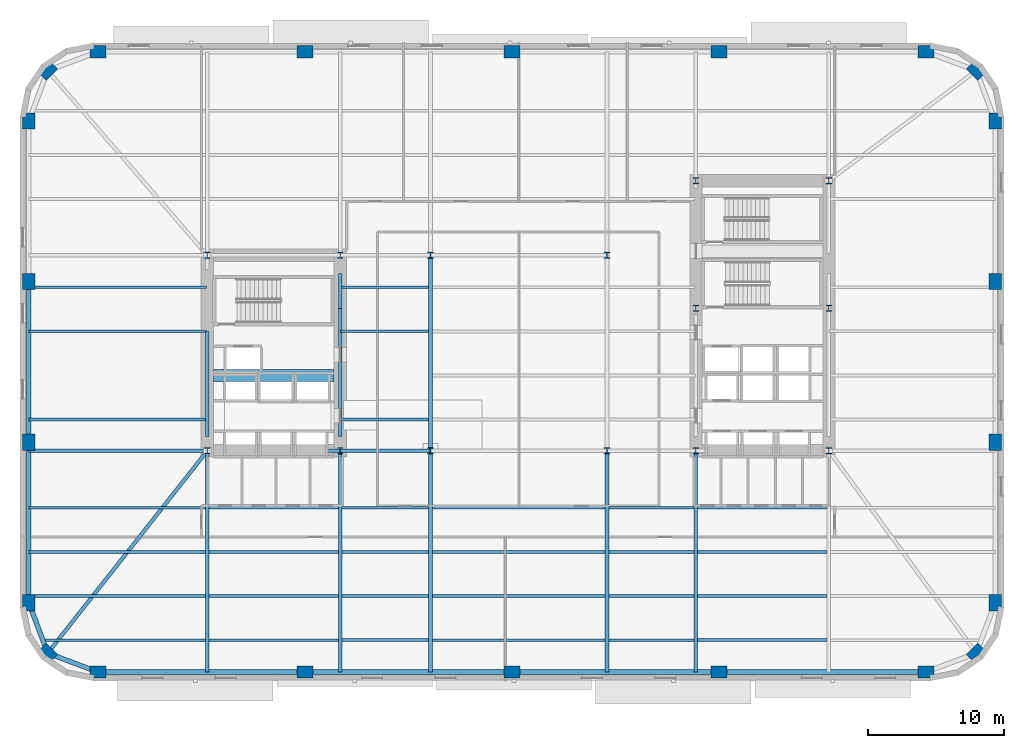
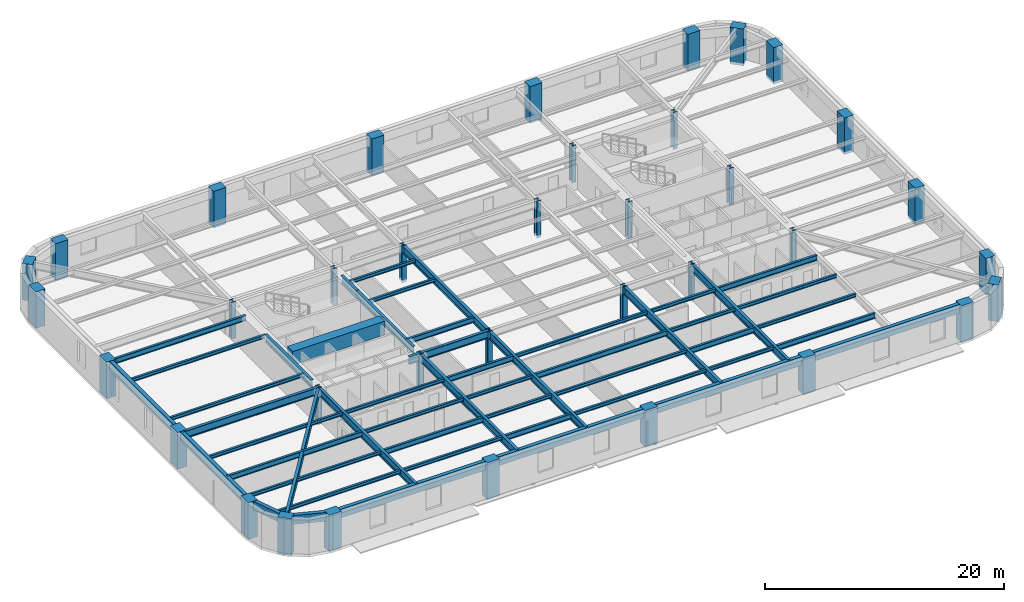
# One storey, part 1 of 15: 51 beams, 36 columns.
"""IFC4 building model written with IfcOpenShell, lengths in metres."""

import ifcopenshell
import ifcopenshell.guid

model = None  # the IFC model being written
_history = None  # IfcOwnerHistory: only IFC2X3 demands one
_inside = {}  # id of a spatial element -> (the spatial element, [elements in it])
_under = {}  # id of a project, library or spatial element -> (it, [spatial elements below it])
_declared = {}  # id of a project -> (the project, [libraries it declares])
_typed = {}  # id of a type object -> (the type object, [elements of that type])
_made_of = {}  # id of a material, layer set ... -> (it, [elements and type objects made of it])


def new_model(schema):
    """Start an empty IFC model of exactly this schema.

    Asked for "IFC4X3", IfcOpenShell would pick the latest addendum, in which some entities
    have other attributes; the version numbers below select the first issue.
    IFC2X3 requires an IfcOwnerHistory on every rooted entity: one is made here for all.
    """
    global model, _history
    if schema == "IFC4X3":
        model = ifcopenshell.file(schema_version=(4, 3, 0, 0))
    else:
        model = ifcopenshell.file(schema=schema)
    _inside.clear()
    _under.clear()
    _declared.clear()
    _typed.clear()
    _made_of.clear()
    _history = None
    if model.schema == "IFC2X3":
        org = make("IfcOrganization", Name="unknown")
        user = make(
            "IfcPersonAndOrganization",
            ThePerson=make("IfcPerson", FamilyName="unknown"),
            TheOrganization=org,
        )
        app = make(
            "IfcApplication",
            ApplicationDeveloper=org,
            Version="unknown",
            ApplicationFullName="unknown",
            ApplicationIdentifier="unknown",
        )
        _history = make(
            "IfcOwnerHistory",
            OwningUser=user,
            OwningApplication=app,
            ChangeAction="ADDED",
            CreationDate=0,
        )
    return model


def make(cls, **values):
    """One entity of the class cls with the attributes given. An attribute that is None is left unset."""
    return model.create_entity(
        cls, **{name: value for name, value in values.items() if value is not None}
    )


def rooted(cls, **values):
    """An entity with a GlobalId (a new one), such as an element, a storey or a relation."""
    return make(cls, GlobalId=ifcopenshell.guid.new(), OwnerHistory=_history, **values)


def si_unit(unit_type, name, prefix=None):
    """IfcSIUnit, for example si_unit("LENGTHUNIT", "METRE", prefix="MILLI")."""
    return make("IfcSIUnit", UnitType=unit_type, Prefix=prefix, Name=name)


def assignment(units):
    """IfcUnitAssignment: the units of a project."""
    return None if units is None else make("IfcUnitAssignment", Units=units)


def point(xyz):
    """IfcCartesianPoint."""
    return None if xyz is None else make("IfcCartesianPoint", Coordinates=xyz)


def direction(xyz):
    """IfcDirection."""
    return None if xyz is None else make("IfcDirection", DirectionRatios=xyz)


def frame(location, z_axis=None, x_axis=None):
    """IfcAxis2Placement3D, a coordinate frame: its origin and axes. An axis left out is left unset."""
    return make(
        "IfcAxis2Placement3D",
        Location=point(location),
        Axis=direction(z_axis),
        RefDirection=direction(x_axis),
    )


def frame_2d(location, x_axis=None):
    """IfcAxis2Placement2D, a coordinate frame in the plane: its origin and x axis."""
    return make(
        "IfcAxis2Placement2D", Location=point(location), RefDirection=direction(x_axis)
    )


def origin():
    """The frame at (0, 0, 0) with its axes left unset."""
    return frame((0.0, 0.0, 0.0))


def origin_2d():
    """The frame at (0, 0) in the plane with its x axis left unset."""
    return frame_2d((0.0, 0.0))


def place(relative_to, where):
    """IfcLocalPlacement: puts the frame where relative to a parent placement (None: the world)."""
    return make(
        "IfcLocalPlacement", PlacementRelTo=relative_to, RelativePlacement=where
    )


def context(
    kind, dimensions, precision=None, world=None, true_north=None, identifier=None
):
    """IfcGeometricRepresentationContext, for example the 3D "Model" context."""
    return make(
        "IfcGeometricRepresentationContext",
        ContextIdentifier=identifier,
        ContextType=kind,
        CoordinateSpaceDimension=dimensions,
        Precision=precision,
        WorldCoordinateSystem=world,
        TrueNorth=true_north,
    )


def subcontext(parent, identifier, kind, view, scale=None):
    """IfcGeometricRepresentationSubContext, for example "Body" below "Model"."""
    return make(
        "IfcGeometricRepresentationSubContext",
        ContextIdentifier=identifier,
        ContextType=kind,
        ParentContext=parent,
        TargetScale=scale,
        TargetView=view,
    )


def project(units=None, contexts=None):
    """IfcProject with its units and contexts."""
    return rooted(
        "IfcProject",
        Name="project",
        RepresentationContexts=contexts,
        UnitsInContext=assignment(units),
    )


def spatial(cls, under=None, at=None, **own):
    """A site, building, storey or space (cls), placed at a placement, below another one or the project."""
    s = rooted(cls, ObjectPlacement=at, **own)
    if under is not None:
        _under.setdefault(under.id(), (under, []))[1].append(s)
    return s


def profile(cls, at=None, kind="AREA", **sizes):
    """A parametric profile (cls). Its sizes go by their IFC names, for example OverallWidth=200.0."""
    return make(cls, ProfileType=kind, Position=at, **sizes)


def rectangle(**sizes):
    """IfcRectangleProfileDef."""
    return profile("IfcRectangleProfileDef", **sizes)


def hollow_rectangle(**sizes):
    """IfcRectangleHollowProfileDef."""
    return profile("IfcRectangleHollowProfileDef", **sizes)


def i_section(**sizes):
    """IfcIShapeProfileDef."""
    return profile("IfcIShapeProfileDef", **sizes)


def extrude(swept, where, along, depth):
    """IfcExtrudedAreaSolid: the profile swept, set in the frame where, extruded along a direction by depth."""
    return make(
        "IfcExtrudedAreaSolid",
        SweptArea=swept,
        Position=where,
        ExtrudedDirection=direction(along),
        Depth=depth,
    )


def shape(context_of_items, identifier, shape_type, items):
    """IfcShapeRepresentation: the items that make up one representation, for example the "Body"."""
    return make(
        "IfcShapeRepresentation",
        ContextOfItems=context_of_items,
        RepresentationIdentifier=identifier,
        RepresentationType=shape_type,
        Items=items,
    )


def material(Name=None, Category=None):
    """IfcMaterial."""
    return make("IfcMaterial", Name=Name, Category=Category)


def material_profile(
    of_material, cross_section, Name=None, Category=None, Priority=None
):
    """IfcMaterialProfile: a cross section and its material."""
    return make(
        "IfcMaterialProfile",
        Name=Name,
        Material=of_material,
        Profile=cross_section,
        Priority=Priority,
        Category=Category,
    )


def profile_set(profiles, Name=None, composite=None):
    """IfcMaterialProfileSet."""
    return make(
        "IfcMaterialProfileSet",
        Name=Name,
        MaterialProfiles=profiles,
        CompositeProfile=composite,
    )


def made_of(thing, what):
    """Note that an element or type object is made of a material, layer set ...; save() writes the relation."""
    if what is not None:
        _made_of.setdefault(what.id(), (what, []))[1].append(thing)
    return thing


def type_object(cls, material=None, **own):
    """A type object (cls), such as IfcWallType, which elements share."""
    return made_of(rooted(cls, **own), material)


def element(
    cls,
    number,
    at=None,
    inside=None,
    cuts=None,
    type_object=None,
    material=None,
    context=None,
    identifier="Body",
    shape_type=None,
    held_by="IfcProductDefinitionShape",
    body=None,
    shapes=None,
    **own,
):
    """One element of the class cls, such as IfcWall. Its Tag is "e" and its number.

    at: its placement. inside: the storey or other place that contains it. cuts: it is an
    opening in that element (IfcRelVoidsElement). A single representation is given by context,
    identifier, shape_type and body (its items); several are given by shapes. held_by: the class
    of the entity that holds the representations. save() writes the other relations.
    """
    e = rooted(cls, Tag="e%d" % number, ObjectPlacement=at, **own)
    if body is not None:
        shapes = [shape(context, identifier, shape_type, body)]
    if shapes is not None:
        e.Representation = make(held_by, Representations=shapes)
    if inside is not None:
        _inside.setdefault(inside.id(), (inside, []))[1].append(e)
    if cuts is not None:
        rooted(
            "IfcRelVoidsElement", RelatingBuildingElement=cuts, RelatedOpeningElement=e
        )
    if type_object is not None:
        _typed.setdefault(type_object.id(), (type_object, []))[1].append(e)
    return made_of(e, material)


def aggregate(whole, parts):
    """IfcRelAggregates: a whole, such as a stair, and the parts it consists of."""
    return rooted("IfcRelAggregates", RelatingObject=whole, RelatedObjects=parts)


def save(model, path):
    """Write the relations noted so far, then the file.

    IfcRelAggregates (storeys below a building ...), IfcRelContainedInSpatialStructure (elements
    in a storey), IfcRelDefinesByType, IfcRelAssociatesMaterial and IfcRelDeclares: one each for
    every whole, place, type object, material and project.
    """
    for whole, parts in _under.values():
        aggregate(whole, parts)
    for where, things in _inside.values():
        rooted(
            "IfcRelContainedInSpatialStructure",
            RelatedElements=things,
            RelatingStructure=where,
        )
    for kind, things in _typed.values():
        rooted("IfcRelDefinesByType", RelatedObjects=things, RelatingType=kind)
    for what, things in _made_of.values():
        rooted("IfcRelAssociatesMaterial", RelatedObjects=things, RelatingMaterial=what)
    for by, libraries in _declared.values():
        rooted("IfcRelDeclares", RelatingContext=by, RelatedDefinitions=libraries)
    model.write(path)


model = new_model("IFC4")

# Units and contexts
model_context = context("Model", 3, precision=1e-05, world=origin(), true_north=direction((0.0, 1.0)))
body_context = subcontext(model_context, "Body", "Model", "MODEL_VIEW")
ifc_project = project(units=[si_unit("LENGTHUNIT", "METRE"), si_unit("AREAUNIT", "SQUARE_METRE"), si_unit("VOLUMEUNIT", "CUBIC_METRE"), si_unit("PLANEANGLEUNIT", "RADIAN"), si_unit("MASSUNIT", "GRAM", prefix="KILO")], contexts=[model_context])

# Site, building, storey
site_placement = place(None, origin())
site = spatial("IfcSite", under=ifc_project, at=site_placement, CompositionType="ELEMENT")
building_placement = place(site_placement, origin())
building = spatial("IfcBuilding", under=site, at=building_placement, Name="Kolvaren Arena Tower", CompositionType="ELEMENT")
storey_placement = place(building_placement, frame((0.0, 0.0, 45.75)))
storey = spatial("IfcBuildingStorey", under=building, at=storey_placement, Name="L08", CompositionType="ELEMENT", Elevation=45.75)

# Columns
ifc_material_1 = material(Name="Precast concrete C70/85", Category="concrete")
ifc_material_profile_1 = material_profile(ifc_material_1, rectangle(XDim=1.199951171875, YDim=0.89990234375, at=origin_2d()), Name="RC-1200x900")
ifc_profile_set_1 = profile_set([ifc_material_profile_1], Name="Precast concrete C70/85")
column_type_1 = type_object("IfcColumnType", Name="EXCOL-Z1", PredefinedType="COLUMN", material=ifc_profile_set_1)
for number, where, z_axis, x_axis, name in (
    (1, (6.5, 3.14990234375, -0.27001953125), (0.0, 0.0, 1.0), (1.0, 0.0, 0.0), "Exoskeleton Perimeter Column 01 (L08)"),
    (2, (21.75, 3.14990234375, -0.27001953125), (0.0, 0.0, 1.0), (1.0, 0.0, 0.0), "Exoskeleton Perimeter Column 02 (L08)"),
    (3, (37.0, 3.14990234375, -0.27001953125), (0.0, 0.0, 1.0), (1.0, 0.0, 0.0), "Exoskeleton Perimeter Column 03 (L08)"),
    (4, (52.25, 3.14990234375, -0.27001953125), (0.0, 0.0, 1.0), (1.0, 0.0, 0.0), "Exoskeleton Perimeter Column 04 (L08)"),
    (5, (67.5, 3.14990234375, -0.27001953125), (0.0, 0.0, 1.0), (1.0, 0.0, 0.0), "Exoskeleton Perimeter Column 05 (L08)"),
    (6, (71.208740234375, 4.541259765625, -0.27001953125), (0.0, 0.0, 1.0), (0.707106781187, 0.707106781187, 0.0), "Exoskeleton Perimeter Column 06 (L08)"),
    (7, (72.60009765625, 8.25, -0.27001953125), (0.0, 0.0, 1.0), (0.0, 1.0, 0.0), "Exoskeleton Perimeter Column 07 (L08)"),
    (8, (72.60009765625, 20.083251953125, -0.27001953125), (0.0, 0.0, 1.0), (0.0, 1.0, 0.0), "Exoskeleton Perimeter Column 08 (L08)"),
    (9, (72.60009765625, 31.916748046875, -0.27001953125), (0.0, 0.0, 1.0), (0.0, 1.0, 0.0), "Exoskeleton Perimeter Column 09 (L08)"),
    (10, (72.60009765625, 43.75, -0.27001953125), (0.0, 0.0, 1.0), (0.0, 1.0, 0.0), "Exoskeleton Perimeter Column 10 (L08)"),
    (11, (71.208740234375, 47.458740234375, -0.27001953125), (0.0, 0.0, 1.0), (-0.707106781187, 0.707106781187, 0.0), "Exoskeleton Perimeter Column 11 (L08)"),
    (12, (67.5, 48.85009765625, -0.27001953125), (0.0, 0.0, 1.0), (1.0, 0.0, 0.0), "Exoskeleton Perimeter Column 12 (L08)"),
    (13, (52.25, 48.85009765625, -0.27001953125), (0.0, 0.0, 1.0), (1.0, 0.0, 0.0), "Exoskeleton Perimeter Column 13 (L08)"),
    (14, (37.0, 48.85009765625, -0.27001953125), (0.0, 0.0, 1.0), (1.0, 0.0, 0.0), "Exoskeleton Perimeter Column 14 (L08)"),
    (15, (21.75, 48.85009765625, -0.27001953125), (0.0, 0.0, 1.0), (1.0, 0.0, 0.0), "Exoskeleton Perimeter Column 15 (L08)"),
    (16, (6.5, 48.85009765625, -0.27001953125), (0.0, 0.0, 1.0), (1.0, 0.0, 0.0), "Exoskeleton Perimeter Column 16 (L08)"),
    (17, (2.791259765625, 47.458740234375, -0.27001953125), (0.0, 0.0, 1.0), (0.707106781187, 0.707106781187, 0.0), "Exoskeleton Perimeter Column 17 (L08)"),
    (18, (1.39990234375, 43.75, -0.27001953125), (0.0, 0.0, 1.0), (0.0, 1.0, 0.0), "Exoskeleton Perimeter Column 18 (L08)"),
    (19, (1.39990234375, 31.916748046875, -0.27001953125), (0.0, 0.0, 1.0), (0.0, 1.0, 0.0), "Exoskeleton Perimeter Column 19 (L08)"),
    (20, (1.39990234375, 20.083251953125, -0.27001953125), (0.0, 0.0, 1.0), (0.0, 1.0, 0.0), "Exoskeleton Perimeter Column 20 (L08)"),
    (21, (1.39990234375, 8.25, -0.27001953125), (0.0, 0.0, 1.0), (0.0, 1.0, 0.0), "Exoskeleton Perimeter Column 21 (L08)"),
    (22, (2.791259765625, 4.541259765625, -0.27001953125), (0.0, 0.0, 1.0), (-0.707106781187, 0.707106781187, 0.0), "Exoskeleton Perimeter Column 22 (L08)"),
):
    element("IfcColumn", number, at=place(storey_placement, frame(where, z_axis=z_axis, x_axis=x_axis)), inside=storey, type_object=column_type_1, Name=name, PredefinedType="COLUMN", context=body_context, shape_type="SweptSolid", body=[
        extrude(rectangle(XDim=1.199951171875, YDim=0.89990234375, at=origin_2d()), origin(), (0.0, 0.0, 1.0), 3.75),
    ])
ifc_material_2 = material(Name="Steel ASTM A913 Grade 65", Category="steel")
ifc_material_profile_2 = material_profile(ifc_material_2, i_section(OverallWidth=0.424072265625, OverallDepth=0.47412109375, WebThickness=0.047607421875, FlangeThickness=0.076904296875, FilletRadius=0.02001953125, at=origin_2d()), Name="W360x634")
ifc_profile_set_2 = profile_set([ifc_material_profile_2], Name="Steel ASTM A913 Grade 65")
column_type_2 = type_object("IfcColumnType", Name="SCOL-Z1", PredefinedType="COLUMN", material=ifc_profile_set_2)
for number, where, z_axis, x_axis, name in (
    (23, (14.550048828125, 19.449951171875, -0.27001953125), (0.0, 0.0, 1.0), (1.0, 0.0, 0.0), "Core Boundary Column WC-SW (L08)"),
    (24, (24.35009765625, 19.449951171875, -0.27001953125), (0.0, 0.0, 1.0), (1.0, 0.0, 0.0), "Core Boundary Column WC-SE (L08)"),
    (25, (14.550048828125, 33.85009765625, -0.27001953125), (0.0, 0.0, 1.0), (1.0, 0.0, 0.0), "Core Boundary Column WC-NW (L08)"),
    (26, (24.35009765625, 33.85009765625, -0.27001953125), (0.0, 0.0, 1.0), (1.0, 0.0, 0.0), "Core Boundary Column WC-NE (L08)"),
    (27, (50.550048828125, 19.449951171875, -0.27001953125), (0.0, 0.0, 1.0), (1.0, 0.0, 0.0), "Core Boundary Column EC-SW (L08)"),
    (28, (60.35009765625, 19.449951171875, -0.27001953125), (0.0, 0.0, 1.0), (1.0, 0.0, 0.0), "Core Boundary Column EC-SE (L08)"),
    (29, (50.550048828125, 29.949951171875, -0.27001953125), (0.0, 0.0, 1.0), (1.0, 0.0, 0.0), "Core Boundary Column EC-MW (L08)"),
    (30, (60.35009765625, 29.949951171875, -0.27001953125), (0.0, 0.0, 1.0), (1.0, 0.0, 0.0), "Core Boundary Column EC-ME (L08)"),
    (31, (50.550048828125, 39.35009765625, -0.27001953125), (0.0, 0.0, 1.0), (1.0, 0.0, 0.0), "Core Boundary Column EC-NW (L08)"),
    (32, (60.35009765625, 39.35009765625, -0.27001953125), (0.0, 0.0, 1.0), (1.0, 0.0, 0.0), "Core Boundary Column EC-NE (L08)"),
    (33, (31.0, 19.449951171875, -0.27001953125), (0.0, 0.0, 1.0), (1.0, 0.0, 0.0), "Interior Gravity Column TC-SW (L08)"),
    (34, (44.0, 19.449951171875, -0.27001953125), (0.0, 0.0, 1.0), (1.0, 0.0, 0.0), "Interior Gravity Column TC-SE (L08)"),
    (35, (31.0, 33.85009765625, -0.27001953125), (0.0, 0.0, 1.0), (1.0, 0.0, 0.0), "Interior Gravity Column TC-NW (L08)"),
    (36, (44.0, 33.85009765625, -0.27001953125), (0.0, 0.0, 1.0), (1.0, 0.0, 0.0), "Interior Gravity Column TC-NE (L08)"),
):
    element("IfcColumn", number, at=place(storey_placement, frame(where, z_axis=z_axis, x_axis=x_axis)), inside=storey, type_object=column_type_2, Name=name, PredefinedType="COLUMN", context=body_context, shape_type="SweptSolid", body=[
        extrude(i_section(OverallWidth=0.424072265625, OverallDepth=0.47412109375, WebThickness=0.047607421875, FlangeThickness=0.076904296875, FilletRadius=0.02001953125, at=origin_2d()), origin(), (0.0, 0.0, 1.0), 3.75),
    ])

# Beams
ifc_material_3 = material(Name="Steel CSA G40.21 350W", Category="steel")
ifc_material_profile_3 = material_profile(ifc_material_3, i_section(OverallWidth=0.2119140625, OverallDepth=0.54296875, WebThickness=0.01318359375, FlangeThickness=0.0244140625, FilletRadius=0.013916015625, at=origin_2d()), Name="W530x150")
ifc_profile_set_3 = profile_set([ifc_material_profile_3], Name="Steel CSA G40.21 350W")
beam_type_1 = type_object("IfcBeamType", Name="BEAM-F1", PredefinedType="BEAM", material=ifc_profile_set_3)
beam_1_placement = place(storey_placement, frame((24.485107421875, 5.5, 3.20849609375), z_axis=(1.0, 0.0, 0.0), x_axis=(0.0, 1.0, 0.0)))
element("IfcBeam", 37, at=beam_1_placement, inside=storey, type_object=beam_type_1, Name="Composite Floor Beam (L08)", PredefinedType="BEAM", context=body_context, shape_type="SweptSolid", body=[
    extrude(i_section(OverallWidth=0.2119140625, OverallDepth=0.54296875, WebThickness=0.01318359375, FlangeThickness=0.0244140625, FilletRadius=0.013916015625, at=origin_2d()), origin(), (0.0, 0.0, 1.0), 6.3798828125),
])
for number, where, z_axis, x_axis, name in (
    (38, (50.68505859375, 5.5, 3.20849609375), (1.0, 0.0, 0.0), (0.0, 1.0, 0.0), "Composite Floor Beam (L08)"),
    (39, (14.68505859375, 8.75, 3.20849609375), (1.0, 0.0, 0.0), (0.0, 1.0, 0.0), "Composite Floor Beam (L08)"),
):
    element("IfcBeam", number, at=place(storey_placement, frame(where, z_axis=z_axis, x_axis=x_axis)), inside=storey, type_object=beam_type_1, Name=name, PredefinedType="BEAM", context=body_context, shape_type="SweptSolid", body=[
        extrude(i_section(OverallWidth=0.2119140625, OverallDepth=0.54296875, WebThickness=0.01318359375, FlangeThickness=0.0244140625, FilletRadius=0.013916015625, at=origin_2d()), origin(), (0.0, 0.0, 1.0), 9.530029296875),
    ])
beam_2_placement = place(storey_placement, frame((44.135009765625, 8.75, 3.20849609375), z_axis=(1.0, 0.0, 0.0), x_axis=(0.0, 1.0, 0.0)))
element("IfcBeam", 40, at=beam_2_placement, inside=storey, type_object=beam_type_1, Name="Composite Floor Beam (L08)", PredefinedType="BEAM", context=body_context, shape_type="SweptSolid", body=[
    extrude(i_section(OverallWidth=0.2119140625, OverallDepth=0.54296875, WebThickness=0.01318359375, FlangeThickness=0.0244140625, FilletRadius=0.013916015625, at=origin_2d()), origin(), (0.0, 0.0, 1.0), 6.280029296875),
])
beam_3_placement = place(storey_placement, frame((1.39990234375, 12.0, 3.20849609375), z_axis=(1.0, 0.0, 0.0), x_axis=(0.0, 1.0, 0.0)))
element("IfcBeam", 41, at=beam_3_placement, inside=storey, type_object=beam_type_1, Name="Composite Floor Beam (L08)", PredefinedType="BEAM", context=body_context, shape_type="SweptSolid", body=[
    extrude(i_section(OverallWidth=0.2119140625, OverallDepth=0.54296875, WebThickness=0.01318359375, FlangeThickness=0.0244140625, FilletRadius=0.013916015625, at=origin_2d()), origin(), (0.0, 0.0, 1.0), 13.01513671875),
])
beam_4_placement = place(storey_placement, frame((31.135009765625, 12.0, 3.20849609375), z_axis=(1.0, 0.0, 0.0), x_axis=(0.0, 1.0, 0.0)))
element("IfcBeam", 42, at=beam_4_placement, inside=storey, type_object=beam_type_1, Name="Composite Floor Beam (L08)", PredefinedType="BEAM", context=body_context, shape_type="SweptSolid", body=[
    extrude(i_section(OverallWidth=0.2119140625, OverallDepth=0.54296875, WebThickness=0.01318359375, FlangeThickness=0.0244140625, FilletRadius=0.013916015625, at=origin_2d()), origin(), (0.0, 0.0, 1.0), 12.72998046875),
])
beam_5_placement = place(storey_placement, frame((24.485107421875, 15.25, 3.20849609375), z_axis=(1.0, 0.0, 0.0), x_axis=(0.0, 1.0, 0.0)))
element("IfcBeam", 43, at=beam_5_placement, inside=storey, type_object=beam_type_1, Name="Composite Floor Beam (L08)", PredefinedType="BEAM", context=body_context, shape_type="SweptSolid", body=[
    extrude(i_section(OverallWidth=0.2119140625, OverallDepth=0.54296875, WebThickness=0.01318359375, FlangeThickness=0.0244140625, FilletRadius=0.013916015625, at=origin_2d()), origin(), (0.0, 0.0, 1.0), 6.3798828125),
])
beam_6_placement = place(storey_placement, frame((50.68505859375, 15.25, 3.20849609375), z_axis=(1.0, 0.0, 0.0), x_axis=(0.0, 1.0, 0.0)))
element("IfcBeam", 44, at=beam_6_placement, inside=storey, type_object=beam_type_1, Name="Composite Floor Beam (L08)", PredefinedType="BEAM", context=body_context, shape_type="SweptSolid", body=[
    extrude(i_section(OverallWidth=0.2119140625, OverallDepth=0.54296875, WebThickness=0.01318359375, FlangeThickness=0.0244140625, FilletRadius=0.013916015625, at=origin_2d()), origin(), (0.0, 0.0, 1.0), 9.530029296875),
])
beam_7_placement = place(storey_placement, frame((24.3701171875, 21.75, 3.20849609375), z_axis=(1.0, 0.0, 0.0), x_axis=(0.0, 1.0, 0.0)))
element("IfcBeam", 45, at=beam_7_placement, inside=storey, type_object=beam_type_1, Name="Composite Floor Beam (L08)", PredefinedType="BEAM", context=body_context, shape_type="SweptSolid", body=[
    extrude(i_section(OverallWidth=0.2119140625, OverallDepth=0.54296875, WebThickness=0.01318359375, FlangeThickness=0.0244140625, FilletRadius=0.013916015625, at=origin_2d()), origin(), (0.0, 0.0, 1.0), 6.494873046875),
])
beam_8_placement = place(storey_placement, frame((1.39990234375, 31.5, 3.20849609375), z_axis=(1.0, 0.0, 0.0), x_axis=(0.0, 1.0, 0.0)))
element("IfcBeam", 46, at=beam_8_placement, inside=storey, type_object=beam_type_1, Name="Composite Floor Beam (L08)", PredefinedType="BEAM", context=body_context, shape_type="SweptSolid", body=[
    extrude(i_section(OverallWidth=0.2119140625, OverallDepth=0.54296875, WebThickness=0.01318359375, FlangeThickness=0.0244140625, FilletRadius=0.013916015625, at=origin_2d()), origin(), (0.0, 0.0, 1.0), 13.080078125),
])
ifc_material_4 = material(Name="Concrete 75 MPa", Category="concrete")
ifc_material_profile_4 = material_profile(ifc_material_4, rectangle(XDim=0.89990234375, YDim=1.39990234375, at=origin_2d()), Name="RC-900x1400")
ifc_profile_set_4 = profile_set([ifc_material_profile_4], Name="Concrete 75 MPa")
beam_type_2 = type_object("IfcBeamType", Name="CB-CORE-1", PredefinedType="BEAM", material=ifc_profile_set_4)
beam_9_placement = place(storey_placement, frame((15.0, 25.0, 3.050048828125), z_axis=(1.0, 0.0, 0.0), x_axis=(0.0, 1.0, 0.0)))
element("IfcBeam", 47, at=beam_9_placement, inside=storey, type_object=beam_type_2, Name="West Core Coupling Beam (L08)", PredefinedType="BEAM", context=body_context, shape_type="SweptSolid", body=[
    extrude(rectangle(XDim=0.89990234375, YDim=1.39990234375, at=origin_2d()), origin(), (0.0, 0.0, 1.0), 8.89990234375),
])
ifc_material_profile_5 = material_profile(ifc_material_3, i_section(OverallWidth=0.27001953125, OverallDepth=0.77294921875, WebThickness=0.019287109375, FlangeThickness=0.033447265625, FilletRadius=0.01806640625, at=origin_2d()), Name="W760x257")
ifc_profile_set_5 = profile_set([ifc_material_profile_5], Name="Steel CSA G40.21 350W")
beam_type_3 = type_object("IfcBeamType", Name="GIRD-T1", PredefinedType="BEAM", material=ifc_profile_set_5)
beam_10_placement = place(storey_placement, frame((2.791259765625, 4.541259765625, 3.093505859375), z_axis=(0.61927986086, 0.785170334343, 0.0), x_axis=(-0.785170334343, 0.61927986086, 0.0)))
element("IfcBeam", 48, at=beam_10_placement, inside=storey, type_object=beam_type_3, Name="Corner Diagonal Tie Girder (L08)", PredefinedType="BEAM", context=body_context, shape_type="SweptSolid", body=[
    extrude(i_section(OverallWidth=0.27001953125, OverallDepth=0.77294921875, WebThickness=0.019287109375, FlangeThickness=0.033447265625, FilletRadius=0.01806640625, at=origin_2d()), origin(), (0.0, 0.0, 1.0), 18.98779296875),
])
beam_11_placement = place(storey_placement, frame((1.39990234375, 19.449951171875, 3.093505859375), z_axis=(1.0, 0.0, 0.0), x_axis=(0.0, 1.0, 0.0)))
element("IfcBeam", 49, at=beam_11_placement, inside=storey, type_object=beam_type_3, Name="Primary Floor Girder (L08)", PredefinedType="BEAM", context=body_context, shape_type="SweptSolid", body=[
    extrude(i_section(OverallWidth=0.27001953125, OverallDepth=0.77294921875, WebThickness=0.019287109375, FlangeThickness=0.033447265625, FilletRadius=0.01806640625, at=origin_2d()), origin(), (0.0, 0.0, 1.0), 13.150146484375),
])
beam_12_placement = place(storey_placement, frame((23.2451171875, 19.449951171875, 3.093505859375), z_axis=(1.0, 0.0, 0.0), x_axis=(0.0, 1.0, 0.0)))
element("IfcBeam", 50, at=beam_12_placement, inside=storey, type_object=beam_type_3, Name="Primary Floor Girder (L08)", PredefinedType="BEAM", context=body_context, shape_type="SweptSolid", body=[
    extrude(i_section(OverallWidth=0.27001953125, OverallDepth=0.77294921875, WebThickness=0.019287109375, FlangeThickness=0.033447265625, FilletRadius=0.01806640625, at=origin_2d()), origin(), (0.0, 0.0, 1.0), 7.7548828125),
])
beam_13_placement = place(storey_placement, frame((14.550048828125, 3.14990234375, 3.093505859375), z_axis=(0.0, 1.0, 0.0), x_axis=(-1.0, 0.0, 0.0)))
element("IfcBeam", 51, at=beam_13_placement, inside=storey, type_object=beam_type_3, Name="Primary Floor Girder (L08)", PredefinedType="BEAM", context=body_context, shape_type="SweptSolid", body=[
    extrude(i_section(OverallWidth=0.27001953125, OverallDepth=0.77294921875, WebThickness=0.019287109375, FlangeThickness=0.033447265625, FilletRadius=0.01806640625, at=origin_2d()), origin(), (0.0, 0.0, 1.0), 16.300048828125),
])
beam_14_placement = place(storey_placement, frame((14.550048828125, 20.5, 3.093505859375), z_axis=(0.0, 1.0, 0.0), x_axis=(-1.0, 0.0, 0.0)))
element("IfcBeam", 52, at=beam_14_placement, inside=storey, type_object=beam_type_3, Name="Primary Floor Girder (L08)", PredefinedType="BEAM", context=body_context, shape_type="SweptSolid", body=[
    extrude(i_section(OverallWidth=0.27001953125, OverallDepth=0.77294921875, WebThickness=0.019287109375, FlangeThickness=0.033447265625, FilletRadius=0.01806640625, at=origin_2d()), origin(), (0.0, 0.0, 1.0), 7.739990234375),
])
beam_15_placement = place(storey_placement, frame((24.35009765625, 3.14990234375, 3.093505859375), z_axis=(0.0, 1.0, 0.0), x_axis=(-1.0, 0.0, 0.0)))
element("IfcBeam", 53, at=beam_15_placement, inside=storey, type_object=beam_type_3, Name="Primary Floor Girder (L08)", PredefinedType="BEAM", context=body_context, shape_type="SweptSolid", body=[
    extrude(i_section(OverallWidth=0.27001953125, OverallDepth=0.77294921875, WebThickness=0.019287109375, FlangeThickness=0.033447265625, FilletRadius=0.01806640625, at=origin_2d()), origin(), (0.0, 0.0, 1.0), 16.300048828125),
])
beam_16_placement = place(storey_placement, frame((24.35009765625, 20.5, 3.093505859375), z_axis=(0.0, 1.0, 0.0), x_axis=(-1.0, 0.0, 0.0)))
element("IfcBeam", 54, at=beam_16_placement, inside=storey, type_object=beam_type_3, Name="Primary Floor Girder (L08)", PredefinedType="BEAM", context=body_context, shape_type="SweptSolid", body=[
    extrude(i_section(OverallWidth=0.27001953125, OverallDepth=0.77294921875, WebThickness=0.019287109375, FlangeThickness=0.033447265625, FilletRadius=0.01806640625, at=origin_2d()), origin(), (0.0, 0.0, 1.0), 9.449951171875),
])
beam_17_placement = place(storey_placement, frame((24.35009765625, 29.949951171875, 3.093505859375), z_axis=(0.0, 1.0, 0.0), x_axis=(-1.0, 0.0, 0.0)))
element("IfcBeam", 55, at=beam_17_placement, inside=storey, type_object=beam_type_3, Name="Primary Floor Girder (L08)", PredefinedType="BEAM", context=body_context, shape_type="SweptSolid", body=[
    extrude(i_section(OverallWidth=0.27001953125, OverallDepth=0.77294921875, WebThickness=0.019287109375, FlangeThickness=0.033447265625, FilletRadius=0.01806640625, at=origin_2d()), origin(), (0.0, 0.0, 1.0), 2.550048828125),
])
beam_18_placement = place(storey_placement, frame((31.0, 3.14990234375, 3.093505859375), z_axis=(0.0, 1.0, 0.0), x_axis=(-1.0, 0.0, 0.0)))
element("IfcBeam", 56, at=beam_18_placement, inside=storey, type_object=beam_type_3, Name="Primary Floor Girder (L08)", PredefinedType="BEAM", context=body_context, shape_type="SweptSolid", body=[
    extrude(i_section(OverallWidth=0.27001953125, OverallDepth=0.77294921875, WebThickness=0.019287109375, FlangeThickness=0.033447265625, FilletRadius=0.01806640625, at=origin_2d()), origin(), (0.0, 0.0, 1.0), 16.300048828125),
])
beam_19_placement = place(storey_placement, frame((31.0, 19.449951171875, 3.093505859375), z_axis=(0.0, 1.0, 0.0), x_axis=(-1.0, 0.0, 0.0)))
element("IfcBeam", 57, at=beam_19_placement, inside=storey, type_object=beam_type_3, Name="Primary Floor Girder (L08)", PredefinedType="BEAM", context=body_context, shape_type="SweptSolid", body=[
    extrude(i_section(OverallWidth=0.27001953125, OverallDepth=0.77294921875, WebThickness=0.019287109375, FlangeThickness=0.033447265625, FilletRadius=0.01806640625, at=origin_2d()), origin(), (0.0, 0.0, 1.0), 14.400146484375),
])
for number, where, z_axis, x_axis, name in (
    (58, (44.0, 3.14990234375, 3.093505859375), (0.0, 1.0, 0.0), (-1.0, 0.0, 0.0), "Primary Floor Girder (L08)"),
    (59, (50.550048828125, 3.14990234375, 3.093505859375), (0.0, 1.0, 0.0), (-1.0, 0.0, 0.0), "Primary Floor Girder (L08)"),
):
    element("IfcBeam", number, at=place(storey_placement, frame(where, z_axis=z_axis, x_axis=x_axis)), inside=storey, type_object=beam_type_3, Name=name, PredefinedType="BEAM", context=body_context, shape_type="SweptSolid", body=[
        extrude(i_section(OverallWidth=0.27001953125, OverallDepth=0.77294921875, WebThickness=0.019287109375, FlangeThickness=0.033447265625, FilletRadius=0.01806640625, at=origin_2d()), origin(), (0.0, 0.0, 1.0), 16.300048828125),
    ])
ifc_material_profile_6 = material_profile(ifc_material_3, i_section(OverallWidth=0.202880859375, OverallDepth=0.346923828125, WebThickness=0.0078125, FlangeThickness=0.013427734375, FilletRadius=0.010986328125, at=origin_2d()), Name="W360x64")
ifc_profile_set_6 = profile_set([ifc_material_profile_6], Name="Steel CSA G40.21 350W")
beam_type_4 = type_object("IfcBeamType", Name="JOIST-01", PredefinedType="JOIST", material=ifc_profile_set_6)
beam_20_placement = place(storey_placement, frame((2.431396484375, 5.5, 3.306396484375), z_axis=(1.0, 0.0, 0.0), x_axis=(0.0, 1.0, 0.0)))
element("IfcBeam", 60, at=beam_20_placement, inside=storey, type_object=beam_type_4, Name="Composite Floor Joist (L08)", PredefinedType="JOIST", context=body_context, shape_type="SweptSolid", body=[
    extrude(i_section(OverallWidth=0.202880859375, OverallDepth=0.346923828125, WebThickness=0.0078125, FlangeThickness=0.013427734375, FilletRadius=0.010986328125, at=origin_2d()), origin(), (0.0, 0.0, 1.0), 11.983642578125),
])
beam_21_placement = place(storey_placement, frame((14.68505859375, 5.5, 3.306396484375), z_axis=(1.0, 0.0, 0.0), x_axis=(0.0, 1.0, 0.0)))
element("IfcBeam", 61, at=beam_21_placement, inside=storey, type_object=beam_type_4, Name="Composite Floor Joist (L08)", PredefinedType="JOIST", context=body_context, shape_type="SweptSolid", body=[
    extrude(i_section(OverallWidth=0.202880859375, OverallDepth=0.346923828125, WebThickness=0.0078125, FlangeThickness=0.013427734375, FilletRadius=0.010986328125, at=origin_2d()), origin(), (0.0, 0.0, 1.0), 9.530029296875),
])
beam_22_placement = place(storey_placement, frame((31.135009765625, 5.5, 3.306396484375), z_axis=(1.0, 0.0, 0.0), x_axis=(0.0, 1.0, 0.0)))
element("IfcBeam", 62, at=beam_22_placement, inside=storey, type_object=beam_type_4, Name="Composite Floor Joist (L08)", PredefinedType="JOIST", context=body_context, shape_type="SweptSolid", body=[
    extrude(i_section(OverallWidth=0.202880859375, OverallDepth=0.346923828125, WebThickness=0.0078125, FlangeThickness=0.013427734375, FilletRadius=0.010986328125, at=origin_2d()), origin(), (0.0, 0.0, 1.0), 12.72998046875),
])
beam_23_placement = place(storey_placement, frame((44.135009765625, 5.5, 3.306396484375), z_axis=(1.0, 0.0, 0.0), x_axis=(0.0, 1.0, 0.0)))
element("IfcBeam", 63, at=beam_23_placement, inside=storey, type_object=beam_type_4, Name="Composite Floor Joist (L08)", PredefinedType="JOIST", context=body_context, shape_type="SweptSolid", body=[
    extrude(i_section(OverallWidth=0.202880859375, OverallDepth=0.346923828125, WebThickness=0.0078125, FlangeThickness=0.013427734375, FilletRadius=0.010986328125, at=origin_2d()), origin(), (0.0, 0.0, 1.0), 6.280029296875),
])
beam_24_placement = place(storey_placement, frame((1.39990234375, 8.75, 3.306396484375), z_axis=(1.0, 0.0, 0.0), x_axis=(0.0, 1.0, 0.0)))
element("IfcBeam", 64, at=beam_24_placement, inside=storey, type_object=beam_type_4, Name="Composite Floor Joist (L08)", PredefinedType="JOIST", context=body_context, shape_type="SweptSolid", body=[
    extrude(i_section(OverallWidth=0.202880859375, OverallDepth=0.346923828125, WebThickness=0.0078125, FlangeThickness=0.013427734375, FilletRadius=0.010986328125, at=origin_2d()), origin(), (0.0, 0.0, 1.0), 13.01513671875),
])
beam_25_placement = place(storey_placement, frame((24.485107421875, 8.75, 3.306396484375), z_axis=(1.0, 0.0, 0.0), x_axis=(0.0, 1.0, 0.0)))
element("IfcBeam", 65, at=beam_25_placement, inside=storey, type_object=beam_type_4, Name="Composite Floor Joist (L08)", PredefinedType="JOIST", context=body_context, shape_type="SweptSolid", body=[
    extrude(i_section(OverallWidth=0.202880859375, OverallDepth=0.346923828125, WebThickness=0.0078125, FlangeThickness=0.013427734375, FilletRadius=0.010986328125, at=origin_2d()), origin(), (0.0, 0.0, 1.0), 6.3798828125),
])
beam_26_placement = place(storey_placement, frame((31.135009765625, 8.75, 3.306396484375), z_axis=(1.0, 0.0, 0.0), x_axis=(0.0, 1.0, 0.0)))
element("IfcBeam", 66, at=beam_26_placement, inside=storey, type_object=beam_type_4, Name="Composite Floor Joist (L08)", PredefinedType="JOIST", context=body_context, shape_type="SweptSolid", body=[
    extrude(i_section(OverallWidth=0.202880859375, OverallDepth=0.346923828125, WebThickness=0.0078125, FlangeThickness=0.013427734375, FilletRadius=0.010986328125, at=origin_2d()), origin(), (0.0, 0.0, 1.0), 12.72998046875),
])
for number, where, z_axis, x_axis, name in (
    (67, (50.68505859375, 8.75, 3.306396484375), (1.0, 0.0, 0.0), (0.0, 1.0, 0.0), "Composite Floor Joist (L08)"),
    (68, (14.68505859375, 12.0, 3.306396484375), (1.0, 0.0, 0.0), (0.0, 1.0, 0.0), "Composite Floor Joist (L08)"),
):
    element("IfcBeam", number, at=place(storey_placement, frame(where, z_axis=z_axis, x_axis=x_axis)), inside=storey, type_object=beam_type_4, Name=name, PredefinedType="JOIST", context=body_context, shape_type="SweptSolid", body=[
        extrude(i_section(OverallWidth=0.202880859375, OverallDepth=0.346923828125, WebThickness=0.0078125, FlangeThickness=0.013427734375, FilletRadius=0.010986328125, at=origin_2d()), origin(), (0.0, 0.0, 1.0), 9.530029296875),
    ])
beam_27_placement = place(storey_placement, frame((24.485107421875, 12.0, 3.306396484375), z_axis=(1.0, 0.0, 0.0), x_axis=(0.0, 1.0, 0.0)))
element("IfcBeam", 69, at=beam_27_placement, inside=storey, type_object=beam_type_4, Name="Composite Floor Joist (L08)", PredefinedType="JOIST", context=body_context, shape_type="SweptSolid", body=[
    extrude(i_section(OverallWidth=0.202880859375, OverallDepth=0.346923828125, WebThickness=0.0078125, FlangeThickness=0.013427734375, FilletRadius=0.010986328125, at=origin_2d()), origin(), (0.0, 0.0, 1.0), 6.3798828125),
])
beam_28_placement = place(storey_placement, frame((44.135009765625, 12.0, 3.306396484375), z_axis=(1.0, 0.0, 0.0), x_axis=(0.0, 1.0, 0.0)))
element("IfcBeam", 70, at=beam_28_placement, inside=storey, type_object=beam_type_4, Name="Composite Floor Joist (L08)", PredefinedType="JOIST", context=body_context, shape_type="SweptSolid", body=[
    extrude(i_section(OverallWidth=0.202880859375, OverallDepth=0.346923828125, WebThickness=0.0078125, FlangeThickness=0.013427734375, FilletRadius=0.010986328125, at=origin_2d()), origin(), (0.0, 0.0, 1.0), 6.280029296875),
])
beam_29_placement = place(storey_placement, frame((50.68505859375, 12.0, 3.306396484375), z_axis=(1.0, 0.0, 0.0), x_axis=(0.0, 1.0, 0.0)))
element("IfcBeam", 71, at=beam_29_placement, inside=storey, type_object=beam_type_4, Name="Composite Floor Joist (L08)", PredefinedType="JOIST", context=body_context, shape_type="SweptSolid", body=[
    extrude(i_section(OverallWidth=0.202880859375, OverallDepth=0.346923828125, WebThickness=0.0078125, FlangeThickness=0.013427734375, FilletRadius=0.010986328125, at=origin_2d()), origin(), (0.0, 0.0, 1.0), 9.530029296875),
])
beam_30_placement = place(storey_placement, frame((1.39990234375, 15.25, 3.306396484375), z_axis=(1.0, 0.0, 0.0), x_axis=(0.0, 1.0, 0.0)))
element("IfcBeam", 72, at=beam_30_placement, inside=storey, type_object=beam_type_4, Name="Composite Floor Joist (L08)", PredefinedType="JOIST", context=body_context, shape_type="SweptSolid", body=[
    extrude(i_section(OverallWidth=0.202880859375, OverallDepth=0.346923828125, WebThickness=0.0078125, FlangeThickness=0.013427734375, FilletRadius=0.010986328125, at=origin_2d()), origin(), (0.0, 0.0, 1.0), 13.01513671875),
])
beam_31_placement = place(storey_placement, frame((14.68505859375, 15.25, 3.306396484375), z_axis=(1.0, 0.0, 0.0), x_axis=(0.0, 1.0, 0.0)))
element("IfcBeam", 73, at=beam_31_placement, inside=storey, type_object=beam_type_4, Name="Composite Floor Joist (L08)", PredefinedType="JOIST", context=body_context, shape_type="SweptSolid", body=[
    extrude(i_section(OverallWidth=0.202880859375, OverallDepth=0.346923828125, WebThickness=0.0078125, FlangeThickness=0.013427734375, FilletRadius=0.010986328125, at=origin_2d()), origin(), (0.0, 0.0, 1.0), 9.530029296875),
])
beam_32_placement = place(storey_placement, frame((31.135009765625, 15.25, 3.306396484375), z_axis=(1.0, 0.0, 0.0), x_axis=(0.0, 1.0, 0.0)))
element("IfcBeam", 74, at=beam_32_placement, inside=storey, type_object=beam_type_4, Name="Composite Floor Joist (L08)", PredefinedType="JOIST", context=body_context, shape_type="SweptSolid", body=[
    extrude(i_section(OverallWidth=0.202880859375, OverallDepth=0.346923828125, WebThickness=0.0078125, FlangeThickness=0.013427734375, FilletRadius=0.010986328125, at=origin_2d()), origin(), (0.0, 0.0, 1.0), 12.72998046875),
])
beam_33_placement = place(storey_placement, frame((44.135009765625, 15.25, 3.306396484375), z_axis=(1.0, 0.0, 0.0), x_axis=(0.0, 1.0, 0.0)))
element("IfcBeam", 75, at=beam_33_placement, inside=storey, type_object=beam_type_4, Name="Composite Floor Joist (L08)", PredefinedType="JOIST", context=body_context, shape_type="SweptSolid", body=[
    extrude(i_section(OverallWidth=0.202880859375, OverallDepth=0.346923828125, WebThickness=0.0078125, FlangeThickness=0.013427734375, FilletRadius=0.010986328125, at=origin_2d()), origin(), (0.0, 0.0, 1.0), 6.280029296875),
])
beam_34_placement = place(storey_placement, frame((1.39990234375, 21.75, 3.306396484375), z_axis=(1.0, 0.0, 0.0), x_axis=(0.0, 1.0, 0.0)))
element("IfcBeam", 76, at=beam_34_placement, inside=storey, type_object=beam_type_4, Name="Composite Floor Joist (L08)", PredefinedType="JOIST", context=body_context, shape_type="SweptSolid", body=[
    extrude(i_section(OverallWidth=0.202880859375, OverallDepth=0.346923828125, WebThickness=0.0078125, FlangeThickness=0.013427734375, FilletRadius=0.010986328125, at=origin_2d()), origin(), (0.0, 0.0, 1.0), 13.130126953125),
])
beam_35_placement = place(storey_placement, frame((1.39990234375, 28.25, 3.306396484375), z_axis=(1.0, 0.0, 0.0), x_axis=(0.0, 1.0, 0.0)))
element("IfcBeam", 77, at=beam_35_placement, inside=storey, type_object=beam_type_4, Name="Composite Floor Joist (L08)", PredefinedType="JOIST", context=body_context, shape_type="SweptSolid", body=[
    extrude(i_section(OverallWidth=0.202880859375, OverallDepth=0.346923828125, WebThickness=0.0078125, FlangeThickness=0.013427734375, FilletRadius=0.010986328125, at=origin_2d()), origin(), (0.0, 0.0, 1.0), 13.080078125),
])
for number, where, z_axis, x_axis, name in (
    (78, (24.3701171875, 28.25, 3.306396484375), (1.0, 0.0, 0.0), (0.0, 1.0, 0.0), "Composite Floor Joist (L08)"),
    (79, (24.3701171875, 31.5, 3.306396484375), (1.0, 0.0, 0.0), (0.0, 1.0, 0.0), "Composite Floor Joist (L08)"),
):
    element("IfcBeam", number, at=place(storey_placement, frame(where, z_axis=z_axis, x_axis=x_axis)), inside=storey, type_object=beam_type_4, Name=name, PredefinedType="JOIST", context=body_context, shape_type="SweptSolid", body=[
        extrude(i_section(OverallWidth=0.202880859375, OverallDepth=0.346923828125, WebThickness=0.0078125, FlangeThickness=0.013427734375, FilletRadius=0.010986328125, at=origin_2d()), origin(), (0.0, 0.0, 1.0), 6.494873046875),
    ])
ifc_material_5 = material(Name="Steel CSA G40.21 350WT", Category="steel")
ifc_material_profile_7 = material_profile(ifc_material_5, hollow_rectangle(XDim=0.35009765625, YDim=0.89990234375, WallThickness=0.02001953125, at=origin_2d()), Name="HSS 900x350x20")
ifc_profile_set_7 = profile_set([ifc_material_profile_7], Name="Steel CSA G40.21 350WT")
beam_type_5 = type_object("IfcBeamType", Name="SPAND-01", PredefinedType="SPANDREL", material=ifc_profile_set_7)
for number, where, z_axis, x_axis, name in (
    (80, (6.5, 3.14990234375, 3.030029296875), (1.0, 0.0, 0.0), (0.0, 1.0, 0.0), "Perimeter Spandrel Beam (L08)"),
    (81, (21.75, 3.14990234375, 3.030029296875), (1.0, 0.0, 0.0), (0.0, 1.0, 0.0), "Perimeter Spandrel Beam (L08)"),
    (82, (37.0, 3.14990234375, 3.030029296875), (1.0, 0.0, 0.0), (0.0, 1.0, 0.0), "Perimeter Spandrel Beam (L08)"),
    (83, (52.25, 3.14990234375, 3.030029296875), (1.0, 0.0, 0.0), (0.0, 1.0, 0.0), "Perimeter Spandrel Beam (L08)"),
):
    element("IfcBeam", number, at=place(storey_placement, frame(where, z_axis=z_axis, x_axis=x_axis)), inside=storey, type_object=beam_type_5, Name=name, PredefinedType="SPANDREL", context=body_context, shape_type="SweptSolid", body=[
        extrude(hollow_rectangle(XDim=0.35009765625, YDim=0.89990234375, WallThickness=0.02001953125, at=origin_2d()), origin(), (0.0, 0.0, 1.0), 15.25),
    ])
beam_36_placement = place(storey_placement, frame((1.39990234375, 31.916748046875, 3.030029296875), z_axis=(0.0, -1.0, 0.0), x_axis=(1.0, 0.0, 0.0)))
element("IfcBeam", 84, at=beam_36_placement, inside=storey, type_object=beam_type_5, Name="Perimeter Spandrel Beam (L08)", PredefinedType="SPANDREL", context=body_context, shape_type="SweptSolid", body=[
    extrude(hollow_rectangle(XDim=0.35009765625, YDim=0.89990234375, WallThickness=0.02001953125, at=origin_2d()), origin(), (0.0, 0.0, 1.0), 11.83349609375),
])
beam_37_placement = place(storey_placement, frame((1.39990234375, 20.083251953125, 3.030029296875), z_axis=(0.0, -1.0, 0.0), x_axis=(1.0, 0.0, 0.0)))
element("IfcBeam", 85, at=beam_37_placement, inside=storey, type_object=beam_type_5, Name="Perimeter Spandrel Beam (L08)", PredefinedType="SPANDREL", context=body_context, shape_type="SweptSolid", body=[
    extrude(hollow_rectangle(XDim=0.35009765625, YDim=0.89990234375, WallThickness=0.02001953125, at=origin_2d()), origin(), (0.0, 0.0, 1.0), 11.833251953125),
])
for number, where, z_axis, x_axis, name in (
    (86, (1.39990234375, 8.25, 3.030029296875), (0.351251771955, -0.93628104365, 0.0), (0.93628104365, 0.351251771955, 0.0), "Perimeter Spandrel Beam (L08)"),
    (87, (2.791259765625, 4.541259765625, 3.030029296875), (0.93628104365, -0.351251771955, 0.0), (0.351251771955, 0.93628104365, 0.0), "Perimeter Spandrel Beam (L08)"),
):
    element("IfcBeam", number, at=place(storey_placement, frame(where, z_axis=z_axis, x_axis=x_axis)), inside=storey, type_object=beam_type_5, Name=name, PredefinedType="SPANDREL", context=body_context, shape_type="SweptSolid", body=[
        extrude(hollow_rectangle(XDim=0.35009765625, YDim=0.89990234375, WallThickness=0.02001953125, at=origin_2d()), origin(), (0.0, 0.0, 1.0), 3.961181640625),
    ])

save(model, "model.ifc")
